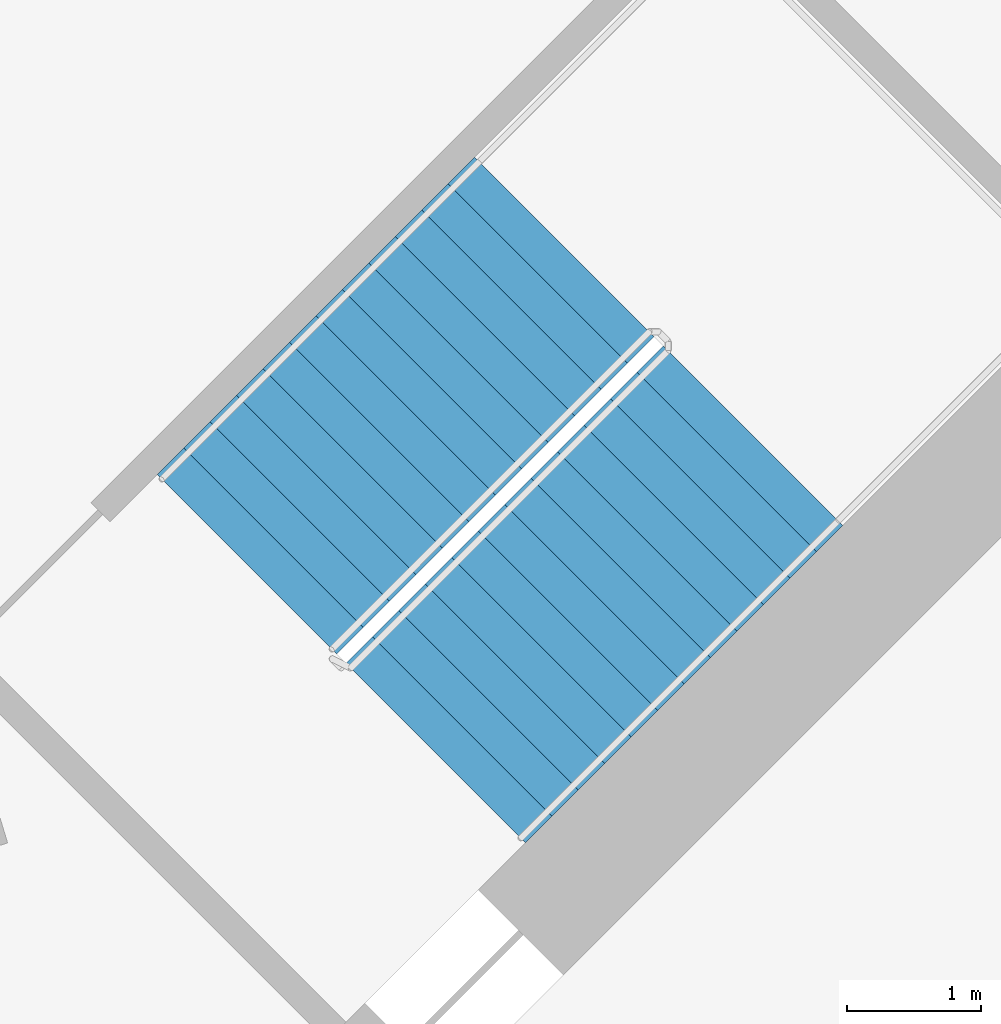
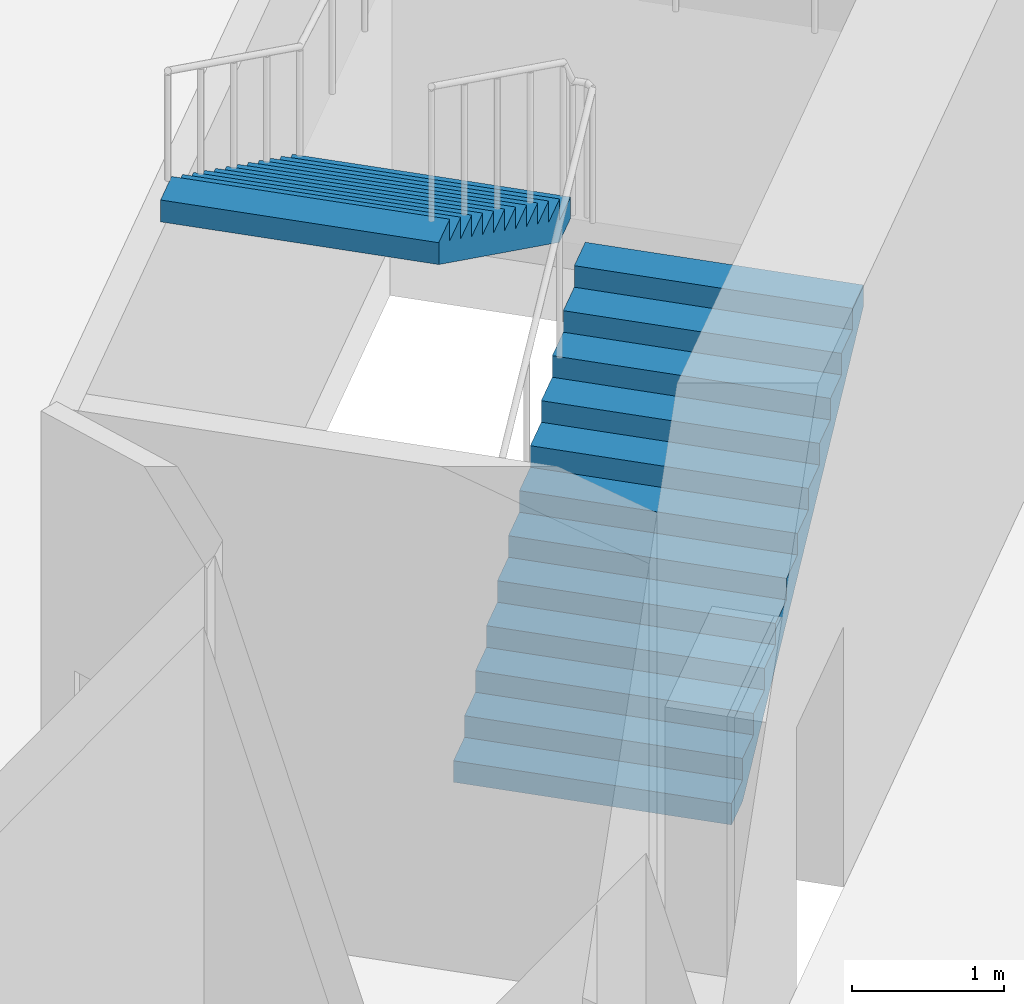
# One storey, part 12 of 21: 2 stair flights, 1 element without a shape of its own.
"""IFC4 building model written with IfcOpenShell, lengths in metres."""

import ifcopenshell
import ifcopenshell.guid

model = None  # the IFC model being written
_history = None  # IfcOwnerHistory: only IFC2X3 demands one
_inside = {}  # id of a spatial element -> (the spatial element, [elements in it])
_under = {}  # id of a project, library or spatial element -> (it, [spatial elements below it])
_declared = {}  # id of a project -> (the project, [libraries it declares])
_typed = {}  # id of a type object -> (the type object, [elements of that type])
_made_of = {}  # id of a material, layer set ... -> (it, [elements and type objects made of it])


def new_model(schema):
    """Start an empty IFC model of exactly this schema.

    Asked for "IFC4X3", IfcOpenShell would pick the latest addendum, in which some entities
    have other attributes; the version numbers below select the first issue.
    IFC2X3 requires an IfcOwnerHistory on every rooted entity: one is made here for all.
    """
    global model, _history
    if schema == "IFC4X3":
        model = ifcopenshell.file(schema_version=(4, 3, 0, 0))
    else:
        model = ifcopenshell.file(schema=schema)
    _inside.clear()
    _under.clear()
    _declared.clear()
    _typed.clear()
    _made_of.clear()
    _history = None
    if model.schema == "IFC2X3":
        org = make("IfcOrganization", Name="unknown")
        user = make(
            "IfcPersonAndOrganization",
            ThePerson=make("IfcPerson", FamilyName="unknown"),
            TheOrganization=org,
        )
        app = make(
            "IfcApplication",
            ApplicationDeveloper=org,
            Version="unknown",
            ApplicationFullName="unknown",
            ApplicationIdentifier="unknown",
        )
        _history = make(
            "IfcOwnerHistory",
            OwningUser=user,
            OwningApplication=app,
            ChangeAction="ADDED",
            CreationDate=0,
        )
    return model


def make(cls, **values):
    """One entity of the class cls with the attributes given. An attribute that is None is left unset."""
    return model.create_entity(
        cls, **{name: value for name, value in values.items() if value is not None}
    )


def rooted(cls, **values):
    """An entity with a GlobalId (a new one), such as an element, a storey or a relation."""
    return make(cls, GlobalId=ifcopenshell.guid.new(), OwnerHistory=_history, **values)


def si_unit(unit_type, name, prefix=None):
    """IfcSIUnit, for example si_unit("LENGTHUNIT", "METRE", prefix="MILLI")."""
    return make("IfcSIUnit", UnitType=unit_type, Prefix=prefix, Name=name)


def assignment(units):
    """IfcUnitAssignment: the units of a project."""
    return None if units is None else make("IfcUnitAssignment", Units=units)


def point(xyz):
    """IfcCartesianPoint."""
    return None if xyz is None else make("IfcCartesianPoint", Coordinates=xyz)


def direction(xyz):
    """IfcDirection."""
    return None if xyz is None else make("IfcDirection", DirectionRatios=xyz)


def frame(location, z_axis=None, x_axis=None):
    """IfcAxis2Placement3D, a coordinate frame: its origin and axes. An axis left out is left unset."""
    return make(
        "IfcAxis2Placement3D",
        Location=point(location),
        Axis=direction(z_axis),
        RefDirection=direction(x_axis),
    )


def origin():
    """The frame at (0, 0, 0) with its axes left unset."""
    return frame((0.0, 0.0, 0.0))


def place(relative_to, where):
    """IfcLocalPlacement: puts the frame where relative to a parent placement (None: the world)."""
    return make(
        "IfcLocalPlacement", PlacementRelTo=relative_to, RelativePlacement=where
    )


def context(
    kind, dimensions, precision=None, world=None, true_north=None, identifier=None
):
    """IfcGeometricRepresentationContext, for example the 3D "Model" context."""
    return make(
        "IfcGeometricRepresentationContext",
        ContextIdentifier=identifier,
        ContextType=kind,
        CoordinateSpaceDimension=dimensions,
        Precision=precision,
        WorldCoordinateSystem=world,
        TrueNorth=true_north,
    )


def subcontext(parent, identifier, kind, view, scale=None):
    """IfcGeometricRepresentationSubContext, for example "Body" below "Model"."""
    return make(
        "IfcGeometricRepresentationSubContext",
        ContextIdentifier=identifier,
        ContextType=kind,
        ParentContext=parent,
        TargetScale=scale,
        TargetView=view,
    )


def project(units=None, contexts=None):
    """IfcProject with its units and contexts."""
    return rooted(
        "IfcProject",
        Name="project",
        RepresentationContexts=contexts,
        UnitsInContext=assignment(units),
    )


def spatial(cls, under=None, at=None, **own):
    """A site, building, storey or space (cls), placed at a placement, below another one or the project."""
    s = rooted(cls, ObjectPlacement=at, **own)
    if under is not None:
        _under.setdefault(under.id(), (under, []))[1].append(s)
    return s


def point_list(points):
    """IfcCartesianPointList2D or 3D."""
    cls = (
        "IfcCartesianPointList2D" if len(points[0]) == 2 else "IfcCartesianPointList3D"
    )
    return make(cls, CoordList=points)


def triangles(points, corners, closed=None, point_numbers=None):
    """IfcTriangulatedFaceSet: each triangle names its three corners, points numbered from 1."""
    return make(
        "IfcTriangulatedFaceSet",
        Coordinates=point_list(points),
        Closed=closed,
        CoordIndex=corners,
        PnIndex=point_numbers,
    )


def shape(context_of_items, identifier, shape_type, items):
    """IfcShapeRepresentation: the items that make up one representation, for example the "Body"."""
    return make(
        "IfcShapeRepresentation",
        ContextOfItems=context_of_items,
        RepresentationIdentifier=identifier,
        RepresentationType=shape_type,
        Items=items,
    )


def material(Name=None, Category=None):
    """IfcMaterial."""
    return make("IfcMaterial", Name=Name, Category=Category)


def made_of(thing, what):
    """Note that an element or type object is made of a material, layer set ...; save() writes the relation."""
    if what is not None:
        _made_of.setdefault(what.id(), (what, []))[1].append(thing)
    return thing


def type_object(cls, material=None, **own):
    """A type object (cls), such as IfcWallType, which elements share."""
    return made_of(rooted(cls, **own), material)


def element(
    cls,
    number,
    at=None,
    inside=None,
    cuts=None,
    type_object=None,
    material=None,
    context=None,
    identifier="Body",
    shape_type=None,
    held_by="IfcProductDefinitionShape",
    body=None,
    shapes=None,
    **own,
):
    """One element of the class cls, such as IfcWall. Its Tag is "e" and its number.

    at: its placement. inside: the storey or other place that contains it. cuts: it is an
    opening in that element (IfcRelVoidsElement). A single representation is given by context,
    identifier, shape_type and body (its items); several are given by shapes. held_by: the class
    of the entity that holds the representations. save() writes the other relations.
    """
    e = rooted(cls, Tag="e%d" % number, ObjectPlacement=at, **own)
    if body is not None:
        shapes = [shape(context, identifier, shape_type, body)]
    if shapes is not None:
        e.Representation = make(held_by, Representations=shapes)
    if inside is not None:
        _inside.setdefault(inside.id(), (inside, []))[1].append(e)
    if cuts is not None:
        rooted(
            "IfcRelVoidsElement", RelatingBuildingElement=cuts, RelatedOpeningElement=e
        )
    if type_object is not None:
        _typed.setdefault(type_object.id(), (type_object, []))[1].append(e)
    return made_of(e, material)


def aggregate(whole, parts):
    """IfcRelAggregates: a whole, such as a stair, and the parts it consists of."""
    return rooted("IfcRelAggregates", RelatingObject=whole, RelatedObjects=parts)


def save(model, path):
    """Write the relations noted so far, then the file.

    IfcRelAggregates (storeys below a building ...), IfcRelContainedInSpatialStructure (elements
    in a storey), IfcRelDefinesByType, IfcRelAssociatesMaterial and IfcRelDeclares: one each for
    every whole, place, type object, material and project.
    """
    for whole, parts in _under.values():
        aggregate(whole, parts)
    for where, things in _inside.values():
        rooted(
            "IfcRelContainedInSpatialStructure",
            RelatedElements=things,
            RelatingStructure=where,
        )
    for kind, things in _typed.values():
        rooted("IfcRelDefinesByType", RelatedObjects=things, RelatingType=kind)
    for what, things in _made_of.values():
        rooted("IfcRelAssociatesMaterial", RelatedObjects=things, RelatingMaterial=what)
    for by, libraries in _declared.values():
        rooted("IfcRelDeclares", RelatingContext=by, RelatedDefinitions=libraries)
    model.write(path)


model = new_model("IFC4")

# Units and contexts
model_context = context("Model", 3, precision=1e-05, world=origin(), true_north=direction((0.0, 1.0)))
body_context = subcontext(model_context, "Body", "Model", "MODEL_VIEW")
ifc_project = project(units=[si_unit("LENGTHUNIT", "METRE"), si_unit("AREAUNIT", "SQUARE_METRE"), si_unit("VOLUMEUNIT", "CUBIC_METRE"), si_unit("PLANEANGLEUNIT", "RADIAN"), si_unit("MASSUNIT", "GRAM", prefix="KILO")], contexts=[model_context])

# Site, building, storey
site_placement = place(None, origin())
site = spatial("IfcSite", under=ifc_project, at=site_placement, CompositionType="ELEMENT")
building_placement = place(site_placement, origin())
building = spatial("IfcBuilding", under=site, at=building_placement, Name="Verdalira Terraces Hotel", CompositionType="ELEMENT")
storey_placement = place(building_placement, frame((0.0, 0.0, 19.0)))
storey = spatial("IfcBuildingStorey", under=building, at=storey_placement, Name="L03", CompositionType="ELEMENT", Elevation=19.0)

# Stair, stair flights
ifc_material_1 = material(Name="Concrete C40", Category="concrete")
stair_type = type_object("IfcStairType", Name="Core stair 26 risers 1900 mm wide", PredefinedType="HALF_TURN_STAIR", material=ifc_material_1)
stair_placement = place(storey_placement, origin())
stair = element("IfcStair", 1, at=stair_placement, inside=storey, type_object=stair_type, Name="L03 Exit stair ST3", PredefinedType="HALF_TURN_STAIR")
ifc_material_2 = material(Name="Concrete C40", Category="concrete")
stair_flight_type = type_object("IfcStairFlightType", Name="Core stair flight 26 risers 1900 mm wide", PredefinedType="STRAIGHT", material=ifc_material_2)
stair_flight_1_placement = place(storey_placement, frame((7.177246, -10.005615, 0.0), z_axis=(0.0, 0.0, 1.0), x_axis=(0.707106781, 0.707106781, 0.0)))
stair_flight_1 = element("IfcStairFlight", 2, at=stair_flight_1_placement, type_object=stair_flight_type, Name="ST3 flight 1", NumberOfRisers=13, NumberOfTreads=12, PredefinedType="STRAIGHT", RiserHeight=0.173076923, TreadLength=0.28, context=body_context, shape_type="Tessellation", body=[
    triangles([(0.0, 0.949951, 0.0), (0.285156, 0.949951, 0.0), (3.360107, 0.949951, 1.900635), (0.0, -0.949951, 0.0), (0.285156, -0.949951, 0.0), (3.360107, -0.949951, 1.900635), (3.360107, 0.949951, 2.076904), (3.080078, 0.949951, 2.076904), (3.360107, -0.949951, 2.076904), (3.080078, -0.949951, 2.076904), (3.080078, 0.949951, 1.903809), (3.080078, -0.949951, 1.903809), (2.800049, 0.949951, 1.903809), (2.800049, -0.949951, 1.903809), (2.800049, 0.949951, 1.730713), (2.800049, -0.949951, 1.730713), (2.52002, 0.949951, 1.730713), (2.52002, 0.949951, 1.557617), (2.52002, -0.949951, 1.730713), (2.52002, -0.949951, 1.557617), (2.23999, 0.949951, 1.557617), (2.23999, 0.949951, 1.384521), (2.23999, -0.949951, 1.557617), (2.23999, -0.949951, 1.384521), (1.959961, 0.949951, 1.384521), (1.959961, 0.949951, 1.211426), (1.959961, -0.949951, 1.384521), (1.959961, -0.949951, 1.211426), (1.679932, 0.949951, 1.211426), (1.679932, 0.949951, 1.038574), (1.679932, -0.949951, 1.211426), (1.679932, -0.949951, 1.038574), (1.399902, 0.949951, 1.038574), (1.399902, 0.949951, 0.865479), (1.399902, -0.949951, 1.038574), (1.399902, -0.949951, 0.865479), (1.120117, 0.949951, 0.865479), (1.120117, 0.949951, 0.692383), (1.120117, -0.949951, 0.865479), (1.120117, -0.949951, 0.692383), (0.840088, 0.949951, 0.692383), (0.840088, 0.949951, 0.519287), (0.840088, -0.949951, 0.692383), (0.840088, -0.949951, 0.519287), (0.560059, 0.949951, 0.519287), (0.560059, 0.949951, 0.346191), (0.560059, -0.949951, 0.519287), (0.560059, -0.949951, 0.346191), (0.280029, 0.949951, 0.346191), (0.280029, 0.949951, 0.173096), (0.280029, -0.949951, 0.346191), (0.280029, -0.949951, 0.173096), (0.0, 0.949951, 0.173096), (0.0, -0.949951, 0.173096), (0.0, -0.890579, 0.0), (0.0, -0.890579, 0.173096), (0.0, -0.831207, 0.0), (0.0, -0.831207, 0.173096), (0.0, -0.771835, 0.0), (0.0, -0.771835, 0.173096), (0.0, -0.712463, 0.0), (0.0, -0.712463, 0.173096), (0.0, -0.653091, 0.0), (0.0, -0.653091, 0.173096), (0.0, -0.593719, 0.0), (0.0, -0.593719, 0.173096), (0.0, -0.534348, 0.0), (0.0, -0.534348, 0.173096), (0.0, -0.474976, 0.0), (0.0, -0.474976, 0.173096), (0.0, -0.415604, 0.0), (0.0, -0.415604, 0.173096), (0.0, -0.356232, 0.0), (0.0, -0.356232, 0.173096), (0.0, -0.29686, 0.0), (0.0, -0.29686, 0.173096), (0.0, -0.237488, 0.0), (0.0, -0.237488, 0.173096), (0.0, -0.178116, 0.0), (0.0, -0.178116, 0.173096), (0.0, -0.118744, 0.0), (0.0, -0.118744, 0.173096), (0.0, -0.059372, 0.0), (0.0, -0.059372, 0.173096), (0.0, 0.0, 0.0), (0.0, 0.0, 0.173096), (0.0, 0.059372, 0.0), (0.0, 0.059372, 0.173096), (0.0, 0.118744, 0.0), (0.0, 0.118744, 0.173096), (0.0, 0.178116, 0.0), (0.0, 0.178116, 0.173096), (0.0, 0.237488, 0.0), (0.0, 0.237488, 0.173096), (0.0, 0.29686, 0.0), (0.0, 0.29686, 0.173096), (0.0, 0.356232, 0.0), (0.0, 0.356232, 0.173096), (0.0, 0.415604, 0.0), (0.0, 0.415604, 0.173096), (0.0, 0.474976, 0.0), (0.0, 0.474976, 0.173096), (0.0, 0.534348, 0.0), (0.0, 0.534348, 0.173096), (0.0, 0.593719, 0.0), (0.0, 0.593719, 0.173096), (0.0, 0.653091, 0.0), (0.0, 0.653091, 0.173096), (0.0, 0.712463, 0.0), (0.0, 0.712463, 0.173096), (0.0, 0.771835, 0.0), (0.0, 0.771835, 0.173096), (0.0, 0.831207, 0.0), (0.0, 0.831207, 0.173096), (0.0, 0.890579, 0.0), (0.0, 0.890579, 0.173096), (3.360107, -0.890579, 2.076904), (3.360107, -0.831207, 2.076904), (3.360107, -0.771835, 2.076904), (3.360107, -0.712463, 2.076904), (3.360107, -0.653091, 2.076904), (3.360107, -0.593719, 2.076904), (3.360107, -0.534348, 2.076904), (3.360107, -0.474976, 2.076904), (3.360107, -0.415604, 2.076904), (3.360107, -0.356232, 2.076904), (3.360107, -0.29686, 2.076904), (3.360107, -0.237488, 2.076904), (3.360107, -0.178116, 2.076904), (3.360107, -0.118744, 2.076904), (3.360107, -0.059372, 2.076904), (3.360107, 0.0, 2.076904), (3.360107, 0.059372, 2.076904), (3.360107, 0.118744, 2.076904), (3.360107, 0.178116, 2.076904), (3.360107, 0.237488, 2.076904), (3.360107, 0.29686, 2.076904), (3.360107, 0.356232, 2.076904), (3.360107, 0.415604, 2.076904), (3.360107, 0.474976, 2.076904), (3.360107, 0.534348, 2.076904), (3.360107, 0.593719, 2.076904), (3.360107, 0.653091, 2.076904), (3.360107, 0.712463, 2.076904), (3.360107, 0.771835, 2.076904), (3.360107, 0.831207, 2.076904), (3.360107, 0.890579, 2.076904), (3.360107, -0.890579, 1.900635), (3.360107, -0.831207, 1.900635), (3.360107, -0.771835, 1.900635), (3.360107, -0.712463, 1.900635), (3.360107, -0.653091, 1.900635), (3.360107, -0.593719, 1.900635), (3.360107, -0.534348, 1.900635), (3.360107, -0.474976, 1.900635), (3.360107, -0.415604, 1.900635), (3.360107, -0.356232, 1.900635), (3.360107, -0.29686, 1.900635), (3.360107, -0.237488, 1.900635), (3.360107, -0.178116, 1.900635), (3.360107, -0.118744, 1.900635), (3.360107, -0.059372, 1.900635), (3.360107, 0.0, 1.900635), (3.360107, 0.059372, 1.900635), (3.360107, 0.118744, 1.900635), (3.360107, 0.178116, 1.900635), (3.360107, 0.237488, 1.900635), (3.360107, 0.29686, 1.900635), (3.360107, 0.356232, 1.900635), (3.360107, 0.415604, 1.900635), (3.360107, 0.474976, 1.900635), (3.360107, 0.534348, 1.900635), (3.360107, 0.593719, 1.900635), (3.360107, 0.653091, 1.900635), (3.360107, 0.712463, 1.900635), (3.360107, 0.771835, 1.900635), (3.360107, 0.831207, 1.900635), (3.360107, 0.890579, 1.900635)], [[1, 3, 2], [4, 5, 6], [3, 8, 7], [6, 9, 10], [3, 11, 8], [6, 10, 12], [3, 13, 11], [6, 12, 14], [3, 15, 13], [6, 14, 16], [15, 18, 17], [16, 19, 20], [3, 18, 15], [6, 16, 20], [18, 22, 21], [20, 23, 24], [3, 22, 18], [6, 20, 24], [22, 26, 25], [24, 27, 28], [3, 26, 22], [6, 24, 28], [1, 26, 3], [4, 6, 28], [26, 30, 29], [28, 31, 32], [30, 34, 33], [32, 35, 36], [26, 34, 30], [28, 32, 36], [34, 38, 37], [36, 39, 40], [26, 38, 34], [28, 36, 40], [38, 42, 41], [40, 43, 44], [26, 42, 38], [28, 40, 44], [42, 46, 45], [44, 47, 48], [26, 46, 42], [28, 44, 48], [46, 50, 49], [48, 51, 52], [26, 50, 46], [28, 48, 52], [1, 50, 26], [4, 28, 52], [50, 1, 53], [52, 54, 4], [4, 56, 55], [4, 54, 56], [55, 58, 57], [55, 56, 58], [57, 60, 59], [57, 58, 60], [59, 62, 61], [59, 60, 62], [61, 64, 63], [61, 62, 64], [63, 66, 65], [63, 64, 66], [65, 68, 67], [65, 66, 68], [67, 70, 69], [67, 68, 70], [69, 72, 71], [69, 70, 72], [71, 74, 73], [71, 72, 74], [73, 76, 75], [73, 74, 76], [75, 78, 77], [75, 76, 78], [77, 80, 79], [77, 78, 80], [79, 82, 81], [79, 80, 82], [81, 84, 83], [81, 82, 84], [83, 86, 85], [83, 84, 86], [85, 88, 87], [85, 86, 88], [87, 90, 89], [87, 88, 90], [89, 92, 91], [89, 90, 92], [91, 94, 93], [91, 92, 94], [93, 96, 95], [93, 94, 96], [95, 98, 97], [95, 96, 98], [97, 100, 99], [97, 98, 100], [99, 102, 101], [99, 100, 102], [101, 104, 103], [101, 102, 104], [103, 106, 105], [103, 104, 106], [105, 108, 107], [105, 106, 108], [107, 110, 109], [107, 108, 110], [109, 112, 111], [109, 110, 112], [111, 114, 113], [111, 112, 114], [113, 116, 115], [113, 114, 116], [115, 53, 1], [115, 116, 53], [54, 52, 56], [56, 52, 58], [58, 52, 60], [60, 52, 62], [62, 52, 64], [64, 52, 66], [66, 52, 68], [68, 52, 70], [70, 52, 72], [72, 52, 74], [74, 52, 76], [76, 52, 78], [78, 52, 80], [80, 52, 82], [82, 52, 84], [84, 52, 86], [86, 52, 88], [88, 52, 90], [90, 52, 92], [92, 52, 94], [94, 52, 96], [96, 52, 98], [98, 52, 100], [100, 52, 102], [102, 52, 104], [104, 52, 106], [106, 52, 108], [108, 52, 110], [110, 52, 112], [112, 52, 114], [114, 52, 116], [116, 52, 53], [53, 52, 50], [52, 49, 50], [52, 51, 49], [51, 46, 49], [51, 48, 46], [48, 45, 46], [48, 47, 45], [47, 42, 45], [47, 44, 42], [44, 41, 42], [44, 43, 41], [43, 38, 41], [43, 40, 38], [40, 37, 38], [40, 39, 37], [39, 34, 37], [39, 36, 34], [36, 33, 34], [36, 35, 33], [35, 30, 33], [35, 32, 30], [32, 29, 30], [32, 31, 29], [31, 26, 29], [31, 28, 26], [28, 25, 26], [28, 27, 25], [27, 22, 25], [27, 24, 22], [24, 21, 22], [24, 23, 21], [23, 18, 21], [23, 20, 18], [20, 17, 18], [20, 19, 17], [19, 15, 17], [19, 16, 15], [16, 13, 15], [16, 14, 13], [14, 11, 13], [14, 12, 11], [12, 8, 11], [12, 10, 8], [9, 117, 10], [117, 118, 10], [118, 119, 10], [119, 120, 10], [120, 121, 10], [121, 122, 10], [122, 123, 10], [123, 124, 10], [124, 125, 10], [125, 126, 10], [126, 127, 10], [127, 128, 10], [128, 129, 10], [129, 130, 10], [130, 131, 10], [131, 132, 10], [132, 133, 10], [133, 134, 10], [134, 135, 10], [135, 136, 10], [136, 137, 10], [137, 138, 10], [138, 139, 10], [139, 140, 10], [140, 141, 10], [141, 142, 10], [142, 143, 10], [143, 144, 10], [144, 145, 10], [145, 146, 10], [146, 147, 10], [147, 7, 10], [7, 8, 10], [9, 148, 117], [9, 6, 148], [117, 149, 118], [117, 148, 149], [118, 150, 119], [118, 149, 150], [119, 151, 120], [119, 150, 151], [120, 152, 121], [120, 151, 152], [121, 153, 122], [121, 152, 153], [122, 154, 123], [122, 153, 154], [123, 155, 124], [123, 154, 155], [124, 156, 125], [124, 155, 156], [125, 157, 126], [125, 156, 157], [126, 158, 127], [126, 157, 158], [127, 159, 128], [127, 158, 159], [128, 160, 129], [128, 159, 160], [129, 161, 130], [129, 160, 161], [130, 162, 131], [130, 161, 162], [131, 163, 132], [131, 162, 163], [132, 164, 133], [132, 163, 164], [133, 165, 134], [133, 164, 165], [134, 166, 135], [134, 165, 166], [135, 167, 136], [135, 166, 167], [136, 168, 137], [136, 167, 168], [137, 169, 138], [137, 168, 169], [138, 170, 139], [138, 169, 170], [139, 171, 140], [139, 170, 171], [140, 172, 141], [140, 171, 172], [141, 173, 142], [141, 172, 173], [142, 174, 143], [142, 173, 174], [143, 175, 144], [143, 174, 175], [144, 176, 145], [144, 175, 176], [145, 177, 146], [145, 176, 177], [146, 178, 147], [146, 177, 178], [147, 3, 7], [147, 178, 3], [6, 5, 148], [148, 5, 149], [149, 5, 150], [150, 5, 151], [151, 5, 152], [152, 5, 153], [153, 5, 154], [154, 5, 155], [155, 5, 156], [156, 5, 157], [157, 5, 158], [158, 5, 159], [159, 5, 160], [160, 5, 161], [161, 5, 162], [162, 5, 163], [163, 5, 164], [164, 5, 165], [165, 5, 166], [166, 5, 167], [167, 5, 168], [168, 5, 169], [169, 5, 170], [170, 5, 171], [171, 5, 172], [172, 5, 173], [173, 5, 174], [174, 5, 175], [175, 5, 176], [176, 5, 177], [177, 5, 178], [178, 5, 3], [3, 5, 2], [4, 55, 5], [55, 57, 5], [57, 59, 5], [59, 61, 5], [61, 63, 5], [63, 65, 5], [65, 67, 5], [67, 69, 5], [69, 71, 5], [71, 73, 5], [73, 75, 5], [75, 77, 5], [77, 79, 5], [79, 81, 5], [81, 83, 5], [83, 85, 5], [85, 87, 5], [87, 89, 5], [89, 91, 5], [91, 93, 5], [93, 95, 5], [95, 97, 5], [97, 99, 5], [99, 101, 5], [101, 103, 5], [103, 105, 5], [105, 107, 5], [107, 109, 5], [109, 111, 5], [111, 113, 5], [113, 115, 5], [115, 1, 5], [1, 2, 5]], closed=True),
])
stair_flight_2_placement = place(storey_placement, frame((8.138916, -6.215576, 2.25), z_axis=(0.0, 0.0, 1.0), x_axis=(-0.707106781, -0.707106781, 0.0)))
stair_flight_2 = element("IfcStairFlight", 3, at=stair_flight_2_placement, type_object=stair_flight_type, Name="ST3 flight 2", NumberOfRisers=13, NumberOfTreads=12, PredefinedType="STRAIGHT", RiserHeight=0.173076923, TreadLength=0.28, context=body_context, shape_type="Tessellation", body=[
    triangles([(0.0, 0.949951, 0.0), (0.285156, 0.949951, 0.0), (3.360107, 0.949951, 1.900635), (0.0, -0.949951, 0.0), (0.285156, -0.949951, 0.0), (3.360107, -0.949951, 1.900635), (3.360107, 0.949951, 2.076904), (3.080078, 0.949951, 2.076904), (3.360107, -0.949951, 2.076904), (3.080078, -0.949951, 2.076904), (3.080078, 0.949951, 1.903809), (3.080078, -0.949951, 1.903809), (2.800049, 0.949951, 1.903809), (2.800049, -0.949951, 1.903809), (2.800049, 0.949951, 1.730713), (2.800049, -0.949951, 1.730713), (2.52002, 0.949951, 1.730713), (2.52002, 0.949951, 1.557617), (2.52002, -0.949951, 1.730713), (2.52002, -0.949951, 1.557617), (2.23999, 0.949951, 1.557617), (2.23999, 0.949951, 1.384521), (2.23999, -0.949951, 1.557617), (2.23999, -0.949951, 1.384521), (1.959961, 0.949951, 1.384521), (1.959961, 0.949951, 1.211426), (1.959961, -0.949951, 1.384521), (1.959961, -0.949951, 1.211426), (1.679932, 0.949951, 1.211426), (1.679932, 0.949951, 1.038574), (1.679932, -0.949951, 1.211426), (1.679932, -0.949951, 1.038574), (1.399902, 0.949951, 1.038574), (1.399902, 0.949951, 0.865479), (1.399902, -0.949951, 1.038574), (1.399902, -0.949951, 0.865479), (1.120117, 0.949951, 0.865479), (1.120117, 0.949951, 0.692383), (1.120117, -0.949951, 0.865479), (1.120117, -0.949951, 0.692383), (0.840088, 0.949951, 0.692383), (0.840088, 0.949951, 0.519287), (0.840088, -0.949951, 0.692383), (0.840088, -0.949951, 0.519287), (0.560059, 0.949951, 0.519287), (0.560059, 0.949951, 0.346191), (0.560059, -0.949951, 0.519287), (0.560059, -0.949951, 0.346191), (0.280029, 0.949951, 0.346191), (0.280029, 0.949951, 0.173096), (0.280029, -0.949951, 0.346191), (0.280029, -0.949951, 0.173096), (0.0, 0.949951, 0.173096), (0.0, -0.949951, 0.173096), (0.0, -0.890579, 0.0), (0.0, -0.890579, 0.173096), (0.0, -0.831207, 0.0), (0.0, -0.831207, 0.173096), (0.0, -0.771835, 0.0), (0.0, -0.771835, 0.173096), (0.0, -0.712463, 0.0), (0.0, -0.712463, 0.173096), (0.0, -0.653091, 0.0), (0.0, -0.653091, 0.173096), (0.0, -0.593719, 0.0), (0.0, -0.593719, 0.173096), (0.0, -0.534348, 0.0), (0.0, -0.534348, 0.173096), (0.0, -0.474976, 0.0), (0.0, -0.474976, 0.173096), (0.0, -0.415604, 0.0), (0.0, -0.415604, 0.173096), (0.0, -0.356232, 0.0), (0.0, -0.356232, 0.173096), (0.0, -0.29686, 0.0), (0.0, -0.29686, 0.173096), (0.0, -0.237488, 0.0), (0.0, -0.237488, 0.173096), (0.0, -0.178116, 0.0), (0.0, -0.178116, 0.173096), (0.0, -0.118744, 0.0), (0.0, -0.118744, 0.173096), (0.0, -0.059372, 0.0), (0.0, -0.059372, 0.173096), (0.0, 0.0, 0.0), (0.0, 0.0, 0.173096), (0.0, 0.059372, 0.0), (0.0, 0.059372, 0.173096), (0.0, 0.118744, 0.0), (0.0, 0.118744, 0.173096), (0.0, 0.178116, 0.0), (0.0, 0.178116, 0.173096), (0.0, 0.237488, 0.0), (0.0, 0.237488, 0.173096), (0.0, 0.29686, 0.0), (0.0, 0.29686, 0.173096), (0.0, 0.356232, 0.0), (0.0, 0.356232, 0.173096), (0.0, 0.415604, 0.0), (0.0, 0.415604, 0.173096), (0.0, 0.474976, 0.0), (0.0, 0.474976, 0.173096), (0.0, 0.534348, 0.0), (0.0, 0.534348, 0.173096), (0.0, 0.593719, 0.0), (0.0, 0.593719, 0.173096), (0.0, 0.653091, 0.0), (0.0, 0.653091, 0.173096), (0.0, 0.712463, 0.0), (0.0, 0.712463, 0.173096), (0.0, 0.771835, 0.0), (0.0, 0.771835, 0.173096), (0.0, 0.831207, 0.0), (0.0, 0.831207, 0.173096), (0.0, 0.890579, 0.0), (0.0, 0.890579, 0.173096), (3.360107, -0.890579, 2.076904), (3.360107, -0.831207, 2.076904), (3.360107, -0.771835, 2.076904), (3.360107, -0.712463, 2.076904), (3.360107, -0.653091, 2.076904), (3.360107, -0.593719, 2.076904), (3.360107, -0.534348, 2.076904), (3.360107, -0.474976, 2.076904), (3.360107, -0.415604, 2.076904), (3.360107, -0.356232, 2.076904), (3.360107, -0.29686, 2.076904), (3.360107, -0.237488, 2.076904), (3.360107, -0.178116, 2.076904), (3.360107, -0.118744, 2.076904), (3.360107, -0.059372, 2.076904), (3.360107, 0.0, 2.076904), (3.360107, 0.059372, 2.076904), (3.360107, 0.118744, 2.076904), (3.360107, 0.178116, 2.076904), (3.360107, 0.237488, 2.076904), (3.360107, 0.29686, 2.076904), (3.360107, 0.356232, 2.076904), (3.360107, 0.415604, 2.076904), (3.360107, 0.474976, 2.076904), (3.360107, 0.534348, 2.076904), (3.360107, 0.593719, 2.076904), (3.360107, 0.653091, 2.076904), (3.360107, 0.712463, 2.076904), (3.360107, 0.771835, 2.076904), (3.360107, 0.831207, 2.076904), (3.360107, 0.890579, 2.076904), (3.360107, -0.890579, 1.900635), (3.360107, -0.831207, 1.900635), (3.360107, -0.771835, 1.900635), (3.360107, -0.712463, 1.900635), (3.360107, -0.653091, 1.900635), (3.360107, -0.593719, 1.900635), (3.360107, -0.534348, 1.900635), (3.360107, -0.474976, 1.900635), (3.360107, -0.415604, 1.900635), (3.360107, -0.356232, 1.900635), (3.360107, -0.29686, 1.900635), (3.360107, -0.237488, 1.900635), (3.360107, -0.178116, 1.900635), (3.360107, -0.118744, 1.900635), (3.360107, -0.059372, 1.900635), (3.360107, 0.0, 1.900635), (3.360107, 0.059372, 1.900635), (3.360107, 0.118744, 1.900635), (3.360107, 0.178116, 1.900635), (3.360107, 0.237488, 1.900635), (3.360107, 0.29686, 1.900635), (3.360107, 0.356232, 1.900635), (3.360107, 0.415604, 1.900635), (3.360107, 0.474976, 1.900635), (3.360107, 0.534348, 1.900635), (3.360107, 0.593719, 1.900635), (3.360107, 0.653091, 1.900635), (3.360107, 0.712463, 1.900635), (3.360107, 0.771835, 1.900635), (3.360107, 0.831207, 1.900635), (3.360107, 0.890579, 1.900635)], [[1, 3, 2], [4, 5, 6], [3, 8, 7], [6, 9, 10], [3, 11, 8], [6, 10, 12], [3, 13, 11], [6, 12, 14], [3, 15, 13], [6, 14, 16], [15, 18, 17], [16, 19, 20], [3, 18, 15], [6, 16, 20], [18, 22, 21], [20, 23, 24], [3, 22, 18], [6, 20, 24], [22, 26, 25], [24, 27, 28], [3, 26, 22], [6, 24, 28], [1, 26, 3], [4, 6, 28], [26, 30, 29], [28, 31, 32], [30, 34, 33], [32, 35, 36], [26, 34, 30], [28, 32, 36], [34, 38, 37], [36, 39, 40], [26, 38, 34], [28, 36, 40], [38, 42, 41], [40, 43, 44], [26, 42, 38], [28, 40, 44], [42, 46, 45], [44, 47, 48], [26, 46, 42], [28, 44, 48], [46, 50, 49], [48, 51, 52], [26, 50, 46], [28, 48, 52], [1, 50, 26], [4, 28, 52], [50, 1, 53], [52, 54, 4], [4, 56, 55], [4, 54, 56], [55, 58, 57], [55, 56, 58], [57, 60, 59], [57, 58, 60], [59, 62, 61], [59, 60, 62], [61, 64, 63], [61, 62, 64], [63, 66, 65], [63, 64, 66], [65, 68, 67], [65, 66, 68], [67, 70, 69], [67, 68, 70], [69, 72, 71], [69, 70, 72], [71, 74, 73], [71, 72, 74], [73, 76, 75], [73, 74, 76], [75, 78, 77], [75, 76, 78], [77, 80, 79], [77, 78, 80], [79, 82, 81], [79, 80, 82], [81, 84, 83], [81, 82, 84], [83, 86, 85], [83, 84, 86], [85, 88, 87], [85, 86, 88], [87, 90, 89], [87, 88, 90], [89, 92, 91], [89, 90, 92], [91, 94, 93], [91, 92, 94], [93, 96, 95], [93, 94, 96], [95, 98, 97], [95, 96, 98], [97, 100, 99], [97, 98, 100], [99, 102, 101], [99, 100, 102], [101, 104, 103], [101, 102, 104], [103, 106, 105], [103, 104, 106], [105, 108, 107], [105, 106, 108], [107, 110, 109], [107, 108, 110], [109, 112, 111], [109, 110, 112], [111, 114, 113], [111, 112, 114], [113, 116, 115], [113, 114, 116], [115, 53, 1], [115, 116, 53], [54, 52, 56], [56, 52, 58], [58, 52, 60], [60, 52, 62], [62, 52, 64], [64, 52, 66], [66, 52, 68], [68, 52, 70], [70, 52, 72], [72, 52, 74], [74, 52, 76], [76, 52, 78], [78, 52, 80], [80, 52, 82], [82, 52, 84], [84, 52, 86], [86, 52, 88], [88, 52, 90], [90, 52, 92], [92, 52, 94], [94, 52, 96], [96, 52, 98], [98, 52, 100], [100, 52, 102], [102, 52, 104], [104, 52, 106], [106, 52, 108], [108, 52, 110], [110, 52, 112], [112, 52, 114], [114, 52, 116], [116, 52, 53], [53, 52, 50], [52, 49, 50], [52, 51, 49], [51, 46, 49], [51, 48, 46], [48, 45, 46], [48, 47, 45], [47, 42, 45], [47, 44, 42], [44, 41, 42], [44, 43, 41], [43, 38, 41], [43, 40, 38], [40, 37, 38], [40, 39, 37], [39, 34, 37], [39, 36, 34], [36, 33, 34], [36, 35, 33], [35, 30, 33], [35, 32, 30], [32, 29, 30], [32, 31, 29], [31, 26, 29], [31, 28, 26], [28, 25, 26], [28, 27, 25], [27, 22, 25], [27, 24, 22], [24, 21, 22], [24, 23, 21], [23, 18, 21], [23, 20, 18], [20, 17, 18], [20, 19, 17], [19, 15, 17], [19, 16, 15], [16, 13, 15], [16, 14, 13], [14, 11, 13], [14, 12, 11], [12, 8, 11], [12, 10, 8], [9, 117, 10], [117, 118, 10], [118, 119, 10], [119, 120, 10], [120, 121, 10], [121, 122, 10], [122, 123, 10], [123, 124, 10], [124, 125, 10], [125, 126, 10], [126, 127, 10], [127, 128, 10], [128, 129, 10], [129, 130, 10], [130, 131, 10], [131, 132, 10], [132, 133, 10], [133, 134, 10], [134, 135, 10], [135, 136, 10], [136, 137, 10], [137, 138, 10], [138, 139, 10], [139, 140, 10], [140, 141, 10], [141, 142, 10], [142, 143, 10], [143, 144, 10], [144, 145, 10], [145, 146, 10], [146, 147, 10], [147, 7, 10], [7, 8, 10], [9, 148, 117], [9, 6, 148], [117, 149, 118], [117, 148, 149], [118, 150, 119], [118, 149, 150], [119, 151, 120], [119, 150, 151], [120, 152, 121], [120, 151, 152], [121, 153, 122], [121, 152, 153], [122, 154, 123], [122, 153, 154], [123, 155, 124], [123, 154, 155], [124, 156, 125], [124, 155, 156], [125, 157, 126], [125, 156, 157], [126, 158, 127], [126, 157, 158], [127, 159, 128], [127, 158, 159], [128, 160, 129], [128, 159, 160], [129, 161, 130], [129, 160, 161], [130, 162, 131], [130, 161, 162], [131, 163, 132], [131, 162, 163], [132, 164, 133], [132, 163, 164], [133, 165, 134], [133, 164, 165], [134, 166, 135], [134, 165, 166], [135, 167, 136], [135, 166, 167], [136, 168, 137], [136, 167, 168], [137, 169, 138], [137, 168, 169], [138, 170, 139], [138, 169, 170], [139, 171, 140], [139, 170, 171], [140, 172, 141], [140, 171, 172], [141, 173, 142], [141, 172, 173], [142, 174, 143], [142, 173, 174], [143, 175, 144], [143, 174, 175], [144, 176, 145], [144, 175, 176], [145, 177, 146], [145, 176, 177], [146, 178, 147], [146, 177, 178], [147, 3, 7], [147, 178, 3], [6, 5, 148], [148, 5, 149], [149, 5, 150], [150, 5, 151], [151, 5, 152], [152, 5, 153], [153, 5, 154], [154, 5, 155], [155, 5, 156], [156, 5, 157], [157, 5, 158], [158, 5, 159], [159, 5, 160], [160, 5, 161], [161, 5, 162], [162, 5, 163], [163, 5, 164], [164, 5, 165], [165, 5, 166], [166, 5, 167], [167, 5, 168], [168, 5, 169], [169, 5, 170], [170, 5, 171], [171, 5, 172], [172, 5, 173], [173, 5, 174], [174, 5, 175], [175, 5, 176], [176, 5, 177], [177, 5, 178], [178, 5, 3], [3, 5, 2], [4, 55, 5], [55, 57, 5], [57, 59, 5], [59, 61, 5], [61, 63, 5], [63, 65, 5], [65, 67, 5], [67, 69, 5], [69, 71, 5], [71, 73, 5], [73, 75, 5], [75, 77, 5], [77, 79, 5], [79, 81, 5], [81, 83, 5], [83, 85, 5], [85, 87, 5], [87, 89, 5], [89, 91, 5], [91, 93, 5], [93, 95, 5], [95, 97, 5], [97, 99, 5], [99, 101, 5], [101, 103, 5], [103, 105, 5], [105, 107, 5], [107, 109, 5], [109, 111, 5], [111, 113, 5], [113, 115, 5], [115, 1, 5], [1, 2, 5]], closed=True),
])
aggregate(stair, [stair_flight_1, stair_flight_2])

save(model, "model.ifc")
